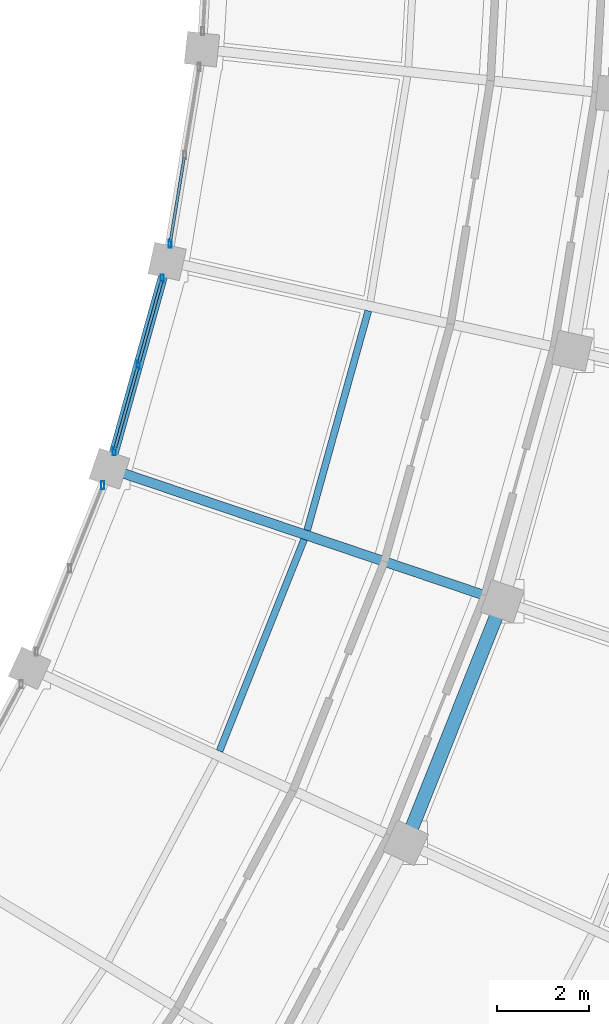
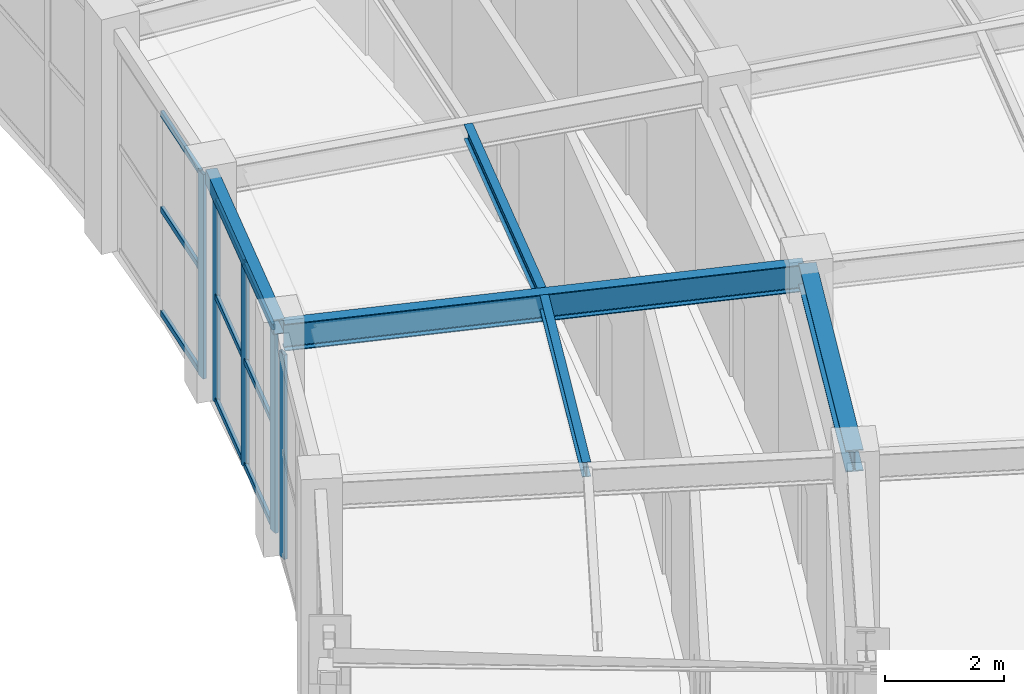
# One storey, part 56 of 100: 14 members, 5 beams, 3 elements without a shape of their own.
"""IFC4 building model written with IfcOpenShell, lengths in metres."""

from ifc_helpers import new_model, si_unit, direction, frame, origin, origin_2d, place, context, subcontext, project, spatial, hollow_rectangle, i_section, extrude, material, material_profile, profile_set, type_object, element, aggregate, save


model = new_model("IFC4")

# Units and contexts
model_context = context("Model", 3, precision=1e-05, world=origin(), true_north=direction((0.0, 1.0)))
body_context = subcontext(model_context, "Body", "Model", "MODEL_VIEW")
ifc_project = project(units=[si_unit("LENGTHUNIT", "METRE"), si_unit("AREAUNIT", "SQUARE_METRE"), si_unit("VOLUMEUNIT", "CUBIC_METRE"), si_unit("PLANEANGLEUNIT", "RADIAN"), si_unit("MASSUNIT", "GRAM", prefix="KILO")], contexts=[model_context])

# Site, building, storey
site_placement = place(None, origin())
site = spatial("IfcSite", under=ifc_project, at=site_placement, CompositionType="ELEMENT")
building_placement = place(site_placement, origin())
building = spatial("IfcBuilding", under=site, at=building_placement, Name="Tarnveldt Headland Concert Hall", CompositionType="ELEMENT")
storey_placement = place(building_placement, frame((0.0, 0.0, 4.800048828125)))
storey = spatial("IfcBuildingStorey", under=building, at=storey_placement, Name="L01", CompositionType="ELEMENT", Elevation=4.800048828125)

# Curtain wall, member
ifc_material_1 = material(Name="Marine-anodised aluminium EN AW-6063-T6", Category="aluminium")
curtain_wall_type = type_object("IfcCurtainWallType", Name="CW-C2", PredefinedType="NOTDEFINED", material=ifc_material_1)
curtain_wall_1_placement = place(storey_placement, origin())
curtain_wall_1 = element("IfcCurtainWall", 1, at=curtain_wall_1_placement, inside=storey, type_object=curtain_wall_type, Name="Curtain wall CW-L01-110", PredefinedType="NOTDEFINED")
ifc_material_profile_1 = material_profile(ifc_material_1, hollow_rectangle(XDim=0.06494140625, YDim=0.179931640625, WallThickness=0.00390625, at=origin_2d()), Name="ALU MULLION 65x180x4", Category="aluminium")
ifc_profile_set_1 = profile_set([ifc_material_profile_1], Name="Marine-anodised aluminium EN AW-6063-T6")
member_type_1 = type_object("IfcMemberType", Name="ML-180", PredefinedType="MULLION", material=ifc_profile_set_1)
member_1_placement = place(storey_placement, frame((158.093505859375, 45.875, 0.0), z_axis=(0.0, 0.0, 1.0), x_axis=(1.0, 0.0, 0.0)))
member_1 = element("IfcMember", 2, at=member_1_placement, type_object=member_type_1, Name="Mullion CW-L01-110-3", PredefinedType="MULLION", context=body_context, shape_type="SweptSolid", body=[
    extrude(hollow_rectangle(XDim=0.06494140625, YDim=0.179931640625, WallThickness=0.00390625, at=origin_2d()), origin(), (0.0, 0.0, 1.0), 4.179931640625),
])
aggregate(curtain_wall_1, [member_1])

# Curtain wall, members
curtain_wall_2_placement = place(storey_placement, origin())
curtain_wall_2 = element("IfcCurtainWall", 3, at=curtain_wall_2_placement, inside=storey, type_object=curtain_wall_type, Name="Curtain wall CW-L01-111", PredefinedType="NOTDEFINED")
member_2_placement = place(storey_placement, frame((158.3427734375, 46.613037109375, 0.0), z_axis=(0.0, 0.0, 1.0), x_axis=(1.0, 0.0, 0.0)))
member_2 = element("IfcMember", 4, at=member_2_placement, type_object=member_type_1, Name="Mullion CW-L01-111-1", PredefinedType="MULLION", context=body_context, shape_type="SweptSolid", body=[
    extrude(hollow_rectangle(XDim=0.06494140625, YDim=0.179931640625, WallThickness=0.00390625, at=origin_2d()), origin(), (0.0, 0.0, 1.0), 4.179931640625),
])
member_3_placement = place(storey_placement, frame((158.864013671875, 48.485595703125, 0.0), z_axis=(0.0, 0.0, 1.0), x_axis=(1.0, 0.0, 0.0)))
member_3 = element("IfcMember", 5, at=member_3_placement, type_object=member_type_1, Name="Mullion CW-L01-111-2", PredefinedType="MULLION", context=body_context, shape_type="SweptSolid", body=[
    extrude(hollow_rectangle(XDim=0.06494140625, YDim=0.179931640625, WallThickness=0.00390625, at=origin_2d()), origin(), (0.0, 0.0, 1.0), 4.179931640625),
])
member_4_placement = place(storey_placement, frame((159.385009765625, 50.358154296875, 0.0), z_axis=(0.0, 0.0, 1.0), x_axis=(1.0, 0.0, 0.0)))
member_4 = element("IfcMember", 6, at=member_4_placement, type_object=member_type_1, Name="Mullion CW-L01-111-3", PredefinedType="MULLION", context=body_context, shape_type="SweptSolid", body=[
    extrude(hollow_rectangle(XDim=0.06494140625, YDim=0.179931640625, WallThickness=0.00390625, at=origin_2d()), origin(), (0.0, 0.0, 1.0), 4.179931640625),
])

# Curtain wall, member
curtain_wall_3_placement = place(storey_placement, origin())
curtain_wall_3 = element("IfcCurtainWall", 7, at=curtain_wall_3_placement, inside=storey, type_object=curtain_wall_type, Name="Curtain wall CW-L01-112", PredefinedType="NOTDEFINED")
member_5_placement = place(storey_placement, frame((159.552978515625, 51.11865234375, 0.0), z_axis=(0.0, 0.0, 1.0), x_axis=(1.0, 0.0, 0.0)))
member_5 = element("IfcMember", 8, at=member_5_placement, type_object=member_type_1, Name="Mullion CW-L01-112-1", PredefinedType="MULLION", context=body_context, shape_type="SweptSolid", body=[
    extrude(hollow_rectangle(XDim=0.06494140625, YDim=0.179931640625, WallThickness=0.00390625, at=origin_2d()), origin(), (0.0, 0.0, 1.0), 4.179931640625),
])

# Beams
ifc_material_2 = material(Name="Steel S355", Category="steel")
ifc_material_profile_2 = material_profile(ifc_material_2, i_section(OverallWidth=0.300048828125, OverallDepth=0.43994140625, WebThickness=0.011474609375, FlangeThickness=0.02099609375, FilletRadius=0.027099609375, at=origin_2d()), Name="HEA450", Category="steel")
ifc_profile_set_2 = profile_set([ifc_material_profile_2], Name="Steel S355")
beam_type_1 = type_object("IfcBeamType", Name="SB-HEA450", PredefinedType="BEAM", material=ifc_profile_set_2)
beam_1_placement = place(storey_placement, frame((164.69287109375, 38.1708984375, 4.320068359375), z_axis=(0.370963937019, 0.928647272882, 0.0), x_axis=(-0.928647272882, 0.370963937019, 0.0)))
element("IfcBeam", 9, at=beam_1_placement, inside=storey, type_object=beam_type_1, Name="Framing beam L01-773", PredefinedType="BEAM", context=body_context, shape_type="SweptSolid", body=[
    extrude(i_section(OverallWidth=0.300048828125, OverallDepth=0.43994140625, WebThickness=0.011474609375, FlangeThickness=0.02099609375, FilletRadius=0.027099609375, at=origin_2d()), origin(), (0.0, 0.0, 1.0), 5.5244140625),
])
ifc_material_profile_3 = material_profile(ifc_material_2, i_section(OverallWidth=0.14990234375, OverallDepth=0.300048828125, WebThickness=0.007080078125, FlangeThickness=0.0107421875, FilletRadius=0.014892578125, at=origin_2d()), Name="IPE300", Category="steel")
ifc_profile_set_3 = profile_set([ifc_material_profile_3], Name="Steel S355")
beam_type_2 = type_object("IfcBeamType", Name="SB-IPE300", PredefinedType="JOIST", material=ifc_profile_set_3)
beam_2_placement = place(storey_placement, frame((160.62744140625, 40.106689453125, 4.389892578125), z_axis=(0.370999157562, 0.928633202663, 0.0), x_axis=(-0.928633202663, 0.370999157562, 0.0)))
element("IfcBeam", 10, at=beam_2_placement, inside=storey, type_object=beam_type_2, Name="Framing beam L01-775", PredefinedType="JOIST", context=body_context, shape_type="SweptSolid", body=[
    extrude(i_section(OverallWidth=0.14990234375, OverallDepth=0.300048828125, WebThickness=0.007080078125, FlangeThickness=0.0107421875, FilletRadius=0.014892578125, at=origin_2d()), origin(), (0.0, 0.0, 1.0), 4.946044921875),
])
beam_3_placement = place(storey_placement, frame((162.529541015625, 44.898193359375, 4.389892578125), z_axis=(0.268142838284, 0.963379166412, 0.0), x_axis=(-0.963379166412, 0.268142838284, 0.0)))
element("IfcBeam", 11, at=beam_3_placement, inside=storey, type_object=beam_type_2, Name="Framing beam L01-782", PredefinedType="JOIST", context=body_context, shape_type="SweptSolid", body=[
    extrude(i_section(OverallWidth=0.14990234375, OverallDepth=0.300048828125, WebThickness=0.007080078125, FlangeThickness=0.0107421875, FilletRadius=0.014892578125, at=origin_2d()), origin(), (0.0, 0.0, 1.0), 4.94580078125),
])
ifc_material_profile_4 = material_profile(ifc_material_2, i_section(OverallWidth=0.2099609375, OverallDepth=0.550048828125, WebThickness=0.010986328125, FlangeThickness=0.01708984375, FilletRadius=0.02392578125, at=origin_2d()), Name="IPE550", Category="steel")
ifc_profile_set_4 = profile_set([ifc_material_profile_4], Name="Steel S355")
beam_type_3 = type_object("IfcBeamType", Name="SB-IPE550", PredefinedType="BEAM", material=ifc_profile_set_4)
beam_4_placement = place(storey_placement, frame((158.294921875, 46.218017578125, 4.264892578125), z_axis=(0.947399878297, -0.320052293545, 0.0), x_axis=(0.320052293545, 0.947399878297, 0.0)))
element("IfcBeam", 12, at=beam_4_placement, inside=storey, type_object=beam_type_3, Name="Framing beam L01-777", PredefinedType="BEAM", context=body_context, shape_type="SweptSolid", body=[
    extrude(i_section(OverallWidth=0.2099609375, OverallDepth=0.550048828125, WebThickness=0.010986328125, FlangeThickness=0.01708984375, FilletRadius=0.02392578125, at=origin_2d()), origin(), (0.0, 0.0, 1.0), 8.8798828125),
])
ifc_material_profile_5 = material_profile(ifc_material_2, hollow_rectangle(XDim=0.199951171875, YDim=0.300048828125, WallThickness=0.012451171875, at=origin_2d()), Name="RHS 300x200x12.5", Category="steel")
ifc_profile_set_5 = profile_set([ifc_material_profile_5], Name="Steel S355")
beam_type_4 = type_object("IfcBeamType", Name="SB-RHS300", PredefinedType="SPANDREL", material=ifc_profile_set_5)
beam_5_placement = place(storey_placement, frame((158.254150390625, 46.295166015625, 4.389892578125), z_axis=(0.268169932327, 0.963371624761, 0.0), x_axis=(-0.963371624761, 0.268169932327, 0.0)))
element("IfcBeam", 13, at=beam_5_placement, inside=storey, type_object=beam_type_4, Name="Framing beam L01-779", PredefinedType="SPANDREL", context=body_context, shape_type="SweptSolid", body=[
    extrude(hollow_rectangle(XDim=0.199951171875, YDim=0.300048828125, WallThickness=0.012451171875, at=origin_2d()), origin(), (0.0, 0.0, 1.0), 4.54736328125),
])

# Member
ifc_material_profile_6 = material_profile(ifc_material_1, hollow_rectangle(XDim=0.06005859375, YDim=0.1201171875, WallThickness=0.00390625, at=origin_2d()), Name="ALU TRANSOM 60x120x4", Category="aluminium")
ifc_profile_set_6 = profile_set([ifc_material_profile_6], Name="Marine-anodised aluminium EN AW-6063-T6")
member_type_2 = type_object("IfcMemberType", Name="TR-110", PredefinedType="MEMBER", material=ifc_profile_set_6)
member_6_placement = place(storey_placement, frame((158.3544921875, 46.656005859375, 0.050048828125), z_axis=(0.268282013169, 0.963340418238, 0.0), x_axis=(-0.963340418238, 0.268282013169, 0.0)))
member_6 = element("IfcMember", 14, at=member_6_placement, type_object=member_type_2, Name="Transom CW-L01-111-1-1", PredefinedType="MEMBER", context=body_context, shape_type="SweptSolid", body=[
    extrude(hollow_rectangle(XDim=0.06005859375, YDim=0.1201171875, WallThickness=0.00390625, at=origin_2d()), origin(), (0.0, 0.0, 1.0), 1.8544921875),
])

member_7_placement = place(storey_placement, frame((158.3544921875, 46.656005859375, 2.173583984375), z_axis=(0.268282013169, 0.963340418238, 0.0), x_axis=(-0.963340418238, 0.268282013169, 0.0)))
member_7 = element("IfcMember", 15, at=member_7_placement, type_object=member_type_2, Name="Transom CW-L01-111-1-2", PredefinedType="MEMBER", context=body_context, shape_type="SweptSolid", body=[
    extrude(hollow_rectangle(XDim=0.06005859375, YDim=0.1201171875, WallThickness=0.00390625, at=origin_2d()), origin(), (0.0, 0.0, 1.0), 1.8544921875),
])

member_8_placement = place(storey_placement, frame((158.3544921875, 46.656005859375, 4.1298828125), z_axis=(0.268282013169, 0.963340418238, 0.0), x_axis=(-0.963340418238, 0.268282013169, 0.0)))
member_8 = element("IfcMember", 16, at=member_8_placement, type_object=member_type_2, Name="Transom CW-L01-111-1-3", PredefinedType="MEMBER", context=body_context, shape_type="SweptSolid", body=[
    extrude(hollow_rectangle(XDim=0.06005859375, YDim=0.1201171875, WallThickness=0.00390625, at=origin_2d()), origin(), (0.0, 0.0, 1.0), 1.8544921875),
])

member_9_placement = place(storey_placement, frame((158.875732421875, 48.5283203125, 0.050048828125), z_axis=(0.268247995403, 0.963349891245, 0.0), x_axis=(-0.963349891245, 0.268247995403, 0.0)))
member_9 = element("IfcMember", 17, at=member_9_placement, type_object=member_type_2, Name="Transom CW-L01-111-2-1", PredefinedType="MEMBER", context=body_context, shape_type="SweptSolid", body=[
    extrude(hollow_rectangle(XDim=0.06005859375, YDim=0.1201171875, WallThickness=0.00390625, at=origin_2d()), origin(), (0.0, 0.0, 1.0), 1.854736328125),
])

member_10_placement = place(storey_placement, frame((158.875732421875, 48.5283203125, 2.173583984375), z_axis=(0.268247995403, 0.963349891245, 0.0), x_axis=(-0.963349891245, 0.268247995403, 0.0)))
member_10 = element("IfcMember", 18, at=member_10_placement, type_object=member_type_2, Name="Transom CW-L01-111-2-2", PredefinedType="MEMBER", context=body_context, shape_type="SweptSolid", body=[
    extrude(hollow_rectangle(XDim=0.06005859375, YDim=0.1201171875, WallThickness=0.00390625, at=origin_2d()), origin(), (0.0, 0.0, 1.0), 1.854736328125),
])

member_11_placement = place(storey_placement, frame((158.875732421875, 48.5283203125, 4.1298828125), z_axis=(0.268247995403, 0.963349891245, 0.0), x_axis=(-0.963349891245, 0.268247995403, 0.0)))
member_11 = element("IfcMember", 19, at=member_11_placement, type_object=member_type_2, Name="Transom CW-L01-111-2-3", PredefinedType="MEMBER", context=body_context, shape_type="SweptSolid", body=[
    extrude(hollow_rectangle(XDim=0.06005859375, YDim=0.1201171875, WallThickness=0.00390625, at=origin_2d()), origin(), (0.0, 0.0, 1.0), 1.854736328125),
])

aggregate(curtain_wall_2, [member_2, member_3, member_4, member_6, member_7, member_8, member_9, member_10, member_11])

member_12_placement = place(storey_placement, frame((159.560302734375, 51.16259765625, 0.050048828125), z_axis=(0.162178507112, 0.986761436129, 0.0), x_axis=(-0.986761436129, 0.162178507112, 0.0)))
member_12 = element("IfcMember", 20, at=member_12_placement, type_object=member_type_2, Name="Transom CW-L01-112-1-1", PredefinedType="MEMBER", context=body_context, shape_type="SweptSolid", body=[
    extrude(hollow_rectangle(XDim=0.06005859375, YDim=0.1201171875, WallThickness=0.00390625, at=origin_2d()), origin(), (0.0, 0.0, 1.0), 1.854736328125),
])

member_13_placement = place(storey_placement, frame((159.560302734375, 51.16259765625, 2.173583984375), z_axis=(0.162178507112, 0.986761436129, 0.0), x_axis=(-0.986761436129, 0.162178507112, 0.0)))
member_13 = element("IfcMember", 21, at=member_13_placement, type_object=member_type_2, Name="Transom CW-L01-112-1-2", PredefinedType="MEMBER", context=body_context, shape_type="SweptSolid", body=[
    extrude(hollow_rectangle(XDim=0.06005859375, YDim=0.1201171875, WallThickness=0.00390625, at=origin_2d()), origin(), (0.0, 0.0, 1.0), 1.854736328125),
])

member_14_placement = place(storey_placement, frame((159.560302734375, 51.16259765625, 4.1298828125), z_axis=(0.162178507112, 0.986761436129, 0.0), x_axis=(-0.986761436129, 0.162178507112, 0.0)))
member_14 = element("IfcMember", 22, at=member_14_placement, type_object=member_type_2, Name="Transom CW-L01-112-1-3", PredefinedType="MEMBER", context=body_context, shape_type="SweptSolid", body=[
    extrude(hollow_rectangle(XDim=0.06005859375, YDim=0.1201171875, WallThickness=0.00390625, at=origin_2d()), origin(), (0.0, 0.0, 1.0), 1.854736328125),
])

aggregate(curtain_wall_3, [member_5, member_12, member_13, member_14])

save(model, "model.ifc")
